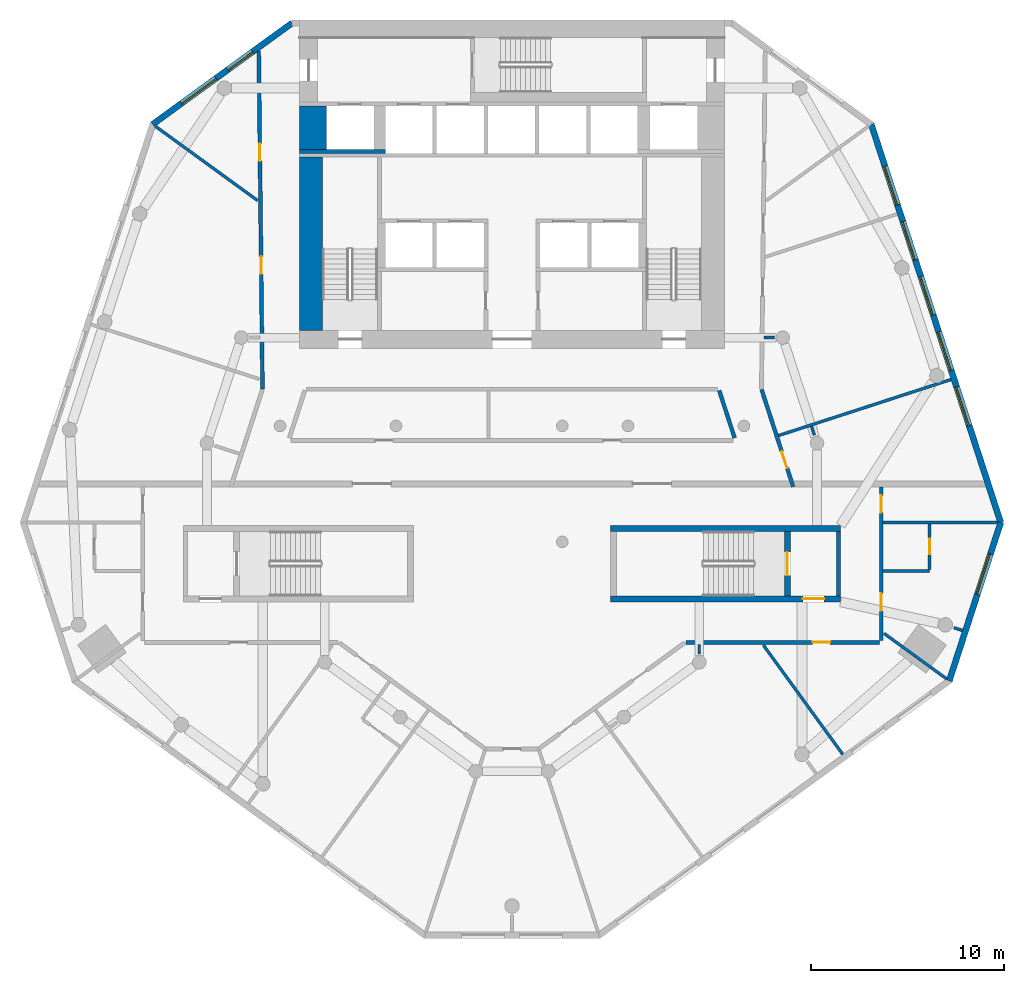
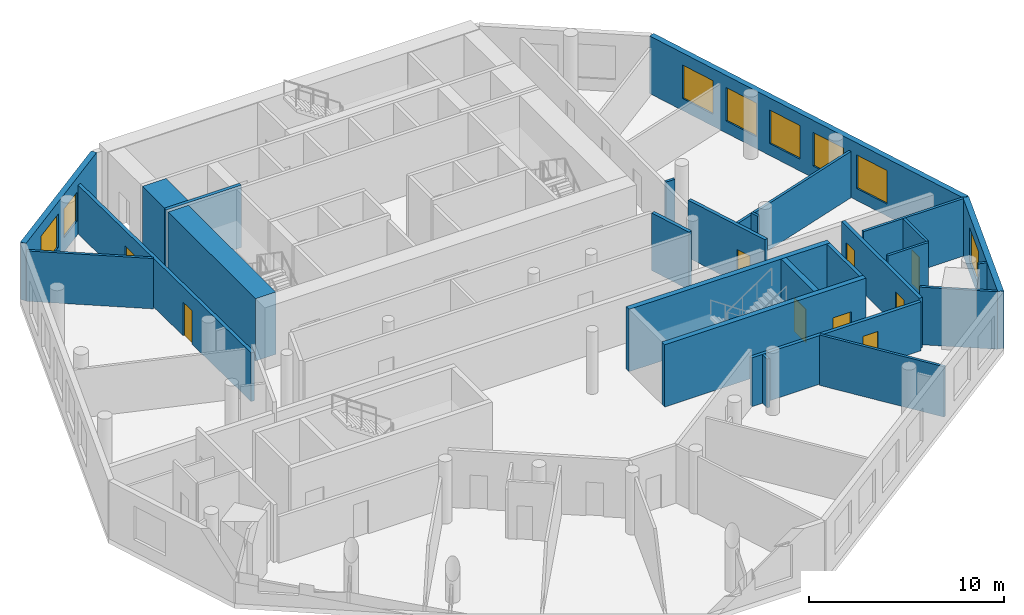
# One storey, part 4 of 8: 26 walls, 9 doors, 8 windows, 17 openings.
"""IFC4 building model written with IfcOpenShell, lengths in metres."""

from ifc_helpers import new_model, si_unit, direction, frame, frame_2d, origin, place, context, subcontext, project, spatial, rectangle, extrude, material, layer, layer_set, type_object, element, fill, save


model = new_model("IFC4")

# Units and contexts
model_context = context("Model", 3, precision=1e-05, world=origin(), true_north=direction((0.0, 1.0)))
body_context = subcontext(model_context, "Body", "Model", "MODEL_VIEW")
ifc_project = project(units=[si_unit("LENGTHUNIT", "METRE"), si_unit("AREAUNIT", "SQUARE_METRE"), si_unit("VOLUMEUNIT", "CUBIC_METRE"), si_unit("PLANEANGLEUNIT", "RADIAN"), si_unit("MASSUNIT", "GRAM", prefix="KILO")], contexts=[model_context])

# Site, building, storey
site_placement = place(None, origin())
site = spatial("IfcSite", under=ifc_project, at=site_placement, CompositionType="ELEMENT")
building_placement = place(site_placement, origin())
building = spatial("IfcBuilding", under=site, at=building_placement, Name="White Candle Pilgrim Tower", CompositionType="ELEMENT")
storey_placement = place(building_placement, frame((0.0, 0.0, 156.39990234375)))
storey = spatial("IfcBuildingStorey", under=building, at=storey_placement, Name="L35", CompositionType="ELEMENT", Elevation=156.39990234375)

# Walls
ifc_material_1 = material(Name="Concrete C60/75", Category="concrete")
ifc_layer_1 = layer(ifc_material_1, 1.39990234375)
ifc_layer_set_1 = layer_set([ifc_layer_1], Name="Core wall 1400 mm Concrete C60/75")
wall_type_1 = type_object("IfcWallType", Name="Core wall 1400 mm Concrete C60/75", PredefinedType="SHEAR", material=ifc_layer_set_1)
wall_1_placement = place(storey_placement, frame((59.699951171875, 81.300048828125, 0.0), z_axis=(0.0, 0.0, 1.0), x_axis=(0.0, 1.0, 0.0)))
element("IfcWall", 1, at=wall_1_placement, inside=storey, type_object=wall_type_1, Name="WL-L35-C37", PredefinedType="SHEAR", context=body_context, shape_type="SweptSolid", body=[
    extrude(rectangle(XDim=2.25, YDim=1.39990234375, at=frame_2d((1.125, 0.0))), origin(), (0.0, 0.0, 1.0), 3.900146484375),
])
ifc_layer_2 = layer(ifc_material_1, 0.199951171875)
ifc_layer_set_2 = layer_set([ifc_layer_2], Name="Core wall 200 mm Concrete C60/75")
wall_type_2 = type_object("IfcWallType", Name="Core wall 200 mm Concrete C60/75", PredefinedType="SHEAR", material=ifc_layer_set_2)
wall_2_placement = place(storey_placement, frame((86.89990234375, 58.199951171875, 0.0), z_axis=(0.0, 0.0, 1.0), x_axis=(0.0, 1.0, 0.0)))
element("IfcWall", 2, at=wall_2_placement, inside=storey, type_object=wall_type_2, Name="WL-L35-C08", PredefinedType="SHEAR", context=body_context, shape_type="SweptSolid", body=[
    extrude(rectangle(XDim=3.35009765625, YDim=0.199951171875, at=frame_2d((1.675048828125, 0.0))), origin(), (0.0, 0.0, 1.0), 3.900146484375),
])
wall_3_placement = place(storey_placement, frame((59.0, 81.199951171875, 0.0), z_axis=(0.0, 0.0, 1.0), x_axis=(1.0, 0.0, 0.0)))
element("IfcWall", 3, at=wall_3_placement, inside=storey, type_object=wall_type_2, Name="WL-L35-C31", PredefinedType="SHEAR", context=body_context, shape_type="SweptSolid", body=[
    extrude(rectangle(XDim=4.449951171875, YDim=0.199951171875, at=frame_2d((2.22509765625, 0.0))), origin(), (0.0, 0.0, 1.0), 3.900146484375),
])

# Wall, openings, doors
ifc_material_2 = material(Name="Gypsum board on steel studs", Category="steel")
ifc_layer_3 = layer(ifc_material_2, 0.199951171875)
ifc_layer_set_3 = layer_set([ifc_layer_3], Name="Corridor wall 200 mm EI 45")
wall_type_3 = type_object("IfcWallType", Name="Corridor wall 200 mm EI 45", PredefinedType="PARTITIONING", material=ifc_layer_set_3)
wall_4_placement = place(storey_placement, frame((57.09326171875, 68.91650390625, 0.0), z_axis=(0.0, 0.0, 1.0), x_axis=(-0.011061239263, 0.999938822622, 0.0)))
wall_4 = element("IfcWall", 4, at=wall_4_placement, inside=storey, type_object=wall_type_3, Name="WL-L35-P003", PredefinedType="PARTITIONING", context=body_context, shape_type="SweptSolid", body=[
    extrude(rectangle(XDim=17.480712890625, YDim=0.199951171875, at=frame_2d((8.740234375, 0.0))), origin(), (0.0, 0.0, 1.0), 3.050048828125),
])
opening_1_placement = place(wall_4_placement, frame((5.951416015625, 0.0, 0.0)))
opening_1 = element("IfcOpeningElement", 5, at=opening_1_placement, cuts=wall_4, Name="Opening T10-118", PredefinedType="OPENING", context=body_context, shape_type="SweptSolid", body=[
    extrude(rectangle(XDim=0.89990234375, YDim=2.10009765625, at=frame_2d((0.449951171875, 1.050048828125))), frame((0.0, 0.10986328125, 0.0), z_axis=(0.0, -1.0, 0.0), x_axis=(1.0, 0.0, 0.0)), (0.0, 0.0, 1.0), 0.219970703125),
])
opening_2_placement = place(wall_4_placement, frame((11.78662109375, 0.0, 0.0)))
opening_2 = element("IfcOpeningElement", 6, at=opening_2_placement, cuts=wall_4, Name="Opening T10-119", PredefinedType="OPENING", context=body_context, shape_type="SweptSolid", body=[
    extrude(rectangle(XDim=0.89990234375, YDim=2.10009765625, at=frame_2d((0.449951171875, 1.050048828125))), frame((0.0, 0.10986328125, 0.0), z_axis=(0.0, -1.0, 0.0), x_axis=(1.0, 0.0, 0.0)), (0.0, 0.0, 1.0), 0.219970703125),
])
ifc_material_3 = material(Name="Steel door leaf", Category="steel")
door_type_1 = type_object("IfcDoorType", Name="Fire door 900 x 2100 EI 30", OperationType="NOTDEFINED", PredefinedType="DOOR", material=ifc_material_3)
door_1_placement = place(opening_1_placement, origin())
door_1 = element("IfcDoor", 7, at=door_1_placement, inside=storey, type_object=door_type_1, Name="Door T10-118", OperationType="SINGLE_SWING_RIGHT", OverallHeight=2.10009765625, OverallWidth=0.89990234375, PredefinedType="DOOR", context=body_context, shape_type="SweptSolid", body=[
    extrude(rectangle(XDim=0.89990234375, YDim=2.10009765625, at=frame_2d((0.449951171875, 1.050048828125))), frame((0.0, 0.02490234375, 0.0), z_axis=(0.0, -1.0, 0.0), x_axis=(1.0, 0.0, 0.0)), (0.0, 0.0, 1.0), 0.050048828125),
])
fill(opening_1, door_1)
door_2_placement = place(opening_2_placement, origin())
door_2 = element("IfcDoor", 8, at=door_2_placement, inside=storey, type_object=door_type_1, Name="Door T10-119", OperationType="SINGLE_SWING_LEFT", OverallHeight=2.10009765625, OverallWidth=0.89990234375, PredefinedType="DOOR", context=body_context, shape_type="SweptSolid", body=[
    extrude(rectangle(XDim=0.89990234375, YDim=2.10009765625, at=frame_2d((0.449951171875, 1.050048828125))), frame((0.0, 0.02490234375, 0.0), z_axis=(0.0, -1.0, 0.0), x_axis=(1.0, 0.0, 0.0)), (0.0, 0.0, 1.0), 0.050048828125),
])
fill(opening_2, door_2)

# Wall, opening, door
wall_5_placement = place(storey_placement, frame((82.91162109375, 68.884521484375, 0.0), z_axis=(0.0, 0.0, 1.0), x_axis=(0.309009941901, -0.951058807754, 0.0)))
wall_5 = element("IfcWall", 9, at=wall_5_placement, inside=storey, type_object=wall_type_3, Name="WL-L35-P005", PredefinedType="PARTITIONING", context=body_context, shape_type="SweptSolid", body=[
    extrude(rectangle(XDim=5.29345703125, YDim=0.199951171875, at=frame_2d((2.646728515625, 0.0))), origin(), (0.0, 0.0, 1.0), 3.60009765625),
])
opening_3_placement = place(wall_5_placement, frame((3.375, 0.0, 0.0)))
opening_3 = element("IfcOpeningElement", 10, at=opening_3_placement, cuts=wall_5, Name="Opening T10-123", PredefinedType="OPENING", context=body_context, shape_type="SweptSolid", body=[
    extrude(rectangle(XDim=0.89990234375, YDim=2.10009765625, at=frame_2d((0.449951171875, 1.050048828125))), frame((0.0, 0.10986328125, 0.0), z_axis=(0.0, -1.0, 0.0), x_axis=(1.0, 0.0, 0.0)), (0.0, 0.0, 1.0), 0.219970703125),
])
door_3_placement = place(opening_3_placement, origin())
door_3 = element("IfcDoor", 11, at=door_3_placement, inside=storey, type_object=door_type_1, Name="Door T10-123", OperationType="SINGLE_SWING_LEFT", OverallHeight=2.10009765625, OverallWidth=0.89990234375, PredefinedType="DOOR", context=body_context, shape_type="SweptSolid", body=[
    extrude(rectangle(XDim=0.89990234375, YDim=2.10009765625, at=frame_2d((0.449951171875, 1.050048828125))), frame((0.0, 0.02490234375, 0.0), z_axis=(0.0, -1.0, 0.0), x_axis=(1.0, 0.0, 0.0)), (0.0, 0.0, 1.0), 0.050048828125),
])
fill(opening_3, door_3)

# Wall, openings, doors
wall_6_placement = place(storey_placement, frame((89.10009765625, 63.85009765625, 0.0), z_axis=(0.0, 0.0, 1.0), x_axis=(0.0, -1.0, 0.0)))
wall_6 = element("IfcWall", 12, at=wall_6_placement, inside=storey, type_object=wall_type_3, Name="WL-L35-P006", PredefinedType="PARTITIONING", context=body_context, shape_type="SweptSolid", body=[
    extrude(rectangle(XDim=7.9501953125, YDim=0.199951171875, at=frame_2d((3.97509765625, 0.0))), origin(), (0.0, 0.0, 1.0), 3.150146484375),
])
opening_4_placement = place(wall_6_placement, frame((5.51220703125, 0.0, 0.0)))
opening_4 = element("IfcOpeningElement", 13, at=opening_4_placement, cuts=wall_6, Name="Opening T10-112", PredefinedType="OPENING", context=body_context, shape_type="SweptSolid", body=[
    extrude(rectangle(XDim=0.89990234375, YDim=2.10009765625, at=frame_2d((0.449951171875, 1.050048828125))), frame((0.0, 0.10986328125, 0.0), z_axis=(0.0, -1.0, 0.0), x_axis=(1.0, 0.0, 0.0)), (0.0, 0.0, 1.0), 0.219970703125),
])
opening_5_placement = place(wall_6_placement, frame((0.436279296875, 0.0, 0.0)))
opening_5 = element("IfcOpeningElement", 14, at=opening_5_placement, cuts=wall_6, Name="Opening T10-124", PredefinedType="OPENING", context=body_context, shape_type="SweptSolid", body=[
    extrude(rectangle(XDim=0.89990234375, YDim=2.10009765625, at=frame_2d((0.449951171875, 1.050048828125))), frame((0.0, 0.10986328125, 0.0), z_axis=(0.0, -1.0, 0.0), x_axis=(1.0, 0.0, 0.0)), (0.0, 0.0, 1.0), 0.219970703125),
])
door_4_placement = place(opening_4_placement, origin())
door_4 = element("IfcDoor", 15, at=door_4_placement, inside=storey, type_object=door_type_1, Name="Door T10-112", OperationType="SINGLE_SWING_RIGHT", OverallHeight=2.10009765625, OverallWidth=0.89990234375, PredefinedType="DOOR", context=body_context, shape_type="SweptSolid", body=[
    extrude(rectangle(XDim=0.89990234375, YDim=2.10009765625, at=frame_2d((0.449951171875, 1.050048828125))), frame((0.0, 0.02490234375, 0.0), z_axis=(0.0, -1.0, 0.0), x_axis=(1.0, 0.0, 0.0)), (0.0, 0.0, 1.0), 0.050048828125),
])
fill(opening_4, door_4)
door_5_placement = place(opening_5_placement, origin())
door_5 = element("IfcDoor", 16, at=door_5_placement, inside=storey, type_object=door_type_1, Name="Door T10-124", OperationType="SINGLE_SWING_RIGHT", OverallHeight=2.10009765625, OverallWidth=0.89990234375, PredefinedType="DOOR", context=body_context, shape_type="SweptSolid", body=[
    extrude(rectangle(XDim=0.89990234375, YDim=2.10009765625, at=frame_2d((0.449951171875, 1.050048828125))), frame((0.0, 0.02490234375, 0.0), z_axis=(0.0, -1.0, 0.0), x_axis=(1.0, 0.0, 0.0)), (0.0, 0.0, 1.0), 0.050048828125),
])
fill(opening_5, door_5)

# Wall, opening, door
wall_7_placement = place(storey_placement, frame((89.0, 55.800048828125, 0.0), z_axis=(0.0, 0.0, 1.0), x_axis=(-1.0, 0.0, 0.0)))
wall_7 = element("IfcWall", 17, at=wall_7_placement, inside=storey, type_object=wall_type_3, Name="WL-L35-P007", PredefinedType="PARTITIONING", context=body_context, shape_type="SweptSolid", body=[
    extrude(rectangle(XDim=10.010986328125, YDim=0.199951171875, at=frame_2d((5.00537109375, 0.0))), origin(), (0.0, 0.0, 1.0), 3.050048828125),
])
opening_6_placement = place(wall_7_placement, frame((2.548583984375, 0.0, 0.0)))
opening_6 = element("IfcOpeningElement", 18, at=opening_6_placement, cuts=wall_7, Name="Opening T10-110", PredefinedType="OPENING", context=body_context, shape_type="SweptSolid", body=[
    extrude(rectangle(XDim=0.89990234375, YDim=2.10009765625, at=frame_2d((0.449951171875, 1.050048828125))), frame((0.0, 0.10986328125, 0.0), z_axis=(0.0, -1.0, 0.0), x_axis=(1.0, 0.0, 0.0)), (0.0, 0.0, 1.0), 0.219970703125),
])
door_6_placement = place(opening_6_placement, origin())
door_6 = element("IfcDoor", 19, at=door_6_placement, inside=storey, type_object=door_type_1, Name="Door T10-110", OperationType="SINGLE_SWING_RIGHT", OverallHeight=2.10009765625, OverallWidth=0.89990234375, PredefinedType="DOOR", context=body_context, shape_type="SweptSolid", body=[
    extrude(rectangle(XDim=0.89990234375, YDim=2.10009765625, at=frame_2d((0.449951171875, 1.050048828125))), frame((0.0, 0.02490234375, 0.0), z_axis=(0.0, -1.0, 0.0), x_axis=(1.0, 0.0, 0.0)), (0.0, 0.0, 1.0), 0.050048828125),
])
fill(opening_6, door_6)

# Wall
wall_8_placement = place(storey_placement, frame((81.516845703125, 66.380859375, 0.0), z_axis=(0.0, 0.0, 1.0), x_axis=(-0.308968203288, 0.951072368097, 0.0)))
element("IfcWall", 20, at=wall_8_placement, inside=storey, type_object=wall_type_3, Name="WL-L35-P014", PredefinedType="PARTITIONING", context=body_context, shape_type="SweptSolid", body=[
    extrude(rectangle(XDim=2.575927734375, YDim=0.199951171875, at=frame_2d((1.2880859375, 0.0))), origin(), (0.0, 0.0, 1.0), 3.60009765625),
])

# Wall, opening, window
ifc_material_4 = material(Name="Precast concrete C40/50", Category="concrete")
ifc_layer_4 = layer(ifc_material_4, 0.320068359375)
ifc_layer_set_4 = layer_set([ifc_layer_4], Name="Facade wall EW1 precast concrete C40/50 pier wall with timber-lined reveals")
wall_type_4 = type_object("IfcWallType", Name="Facade wall EW1 precast concrete C40/50 pier wall with timber-lined reveals", PredefinedType="SOLIDWALL", material=ifc_layer_set_4)
wall_9_placement = place(storey_placement, frame((92.623291015625, 53.81396484375, 0.0), z_axis=(0.0, 0.0, 1.0), x_axis=(0.309030288319, 0.951052196728, 0.0)))
wall_9 = element("IfcWall", 21, at=wall_9_placement, inside=storey, type_object=wall_type_4, Name="Facade wall L35 E chamfer", PredefinedType="SOLIDWALL", context=body_context, shape_type="SweptSolid", body=[
    extrude(rectangle(XDim=8.609619140625, YDim=0.320068359375, at=frame_2d((4.3046875, 0.0))), origin(), (0.0, 0.0, 1.0), 3.60009765625),
])
opening_7_placement = place(wall_9_placement, frame((4.704833984375, 0.0, 0.75)))
opening_7 = element("IfcOpeningElement", 22, at=opening_7_placement, cuts=wall_9, Name="Opening W4", PredefinedType="OPENING", context=body_context, shape_type="SweptSolid", body=[
    extrude(rectangle(XDim=2.199951171875, YDim=2.10009765625, at=frame_2d((1.10009765625, 1.050048828125))), frame((0.0, 0.169921875, 0.0), z_axis=(0.0, -1.0, 0.0), x_axis=(1.0, 0.0, 0.0)), (0.0, 0.0, 1.0), 0.340087890625),
])
ifc_material_5 = material(Name="Timber frame with triple glazing", Category="wood")
window_type_1 = type_object("IfcWindowType", Name="Window W4 2200x2100 timber frame triple glazing", PartitioningType="SINGLE_PANEL", PredefinedType="WINDOW", material=ifc_material_5)
window_1_placement = place(opening_7_placement, origin())
window_1 = element("IfcWindow", 23, at=window_1_placement, inside=storey, type_object=window_type_1, Name="Window W4 L35 E chamfer 2", OverallHeight=2.10009765625, OverallWidth=2.199951171875, PartitioningType="SINGLE_PANEL", PredefinedType="WINDOW", context=body_context, shape_type="SweptSolid", body=[
    extrude(rectangle(XDim=2.199951171875, YDim=2.10009765625, at=frame_2d((1.10009765625, 1.050048828125))), frame((0.0, 0.070068359375, 0.0), z_axis=(0.0, -1.0, 0.0), x_axis=(1.0, 0.0, 0.0)), (0.0, 0.0, 1.0), 0.06005859375),
])
fill(opening_7, window_1)

# Wall, openings, windows
wall_10_placement = place(storey_placement, frame((95.283935546875, 62.002197265625, 0.0), z_axis=(0.0, 0.0, 1.0), x_axis=(-0.309020837221, 0.95105526767, 0.0)))
wall_10 = element("IfcWall", 24, at=wall_10_placement, inside=storey, type_object=wall_type_4, Name="Facade wall L35 ENE", PredefinedType="SOLIDWALL", context=body_context, shape_type="SweptSolid", body=[
    extrude(rectangle(XDim=21.663818359375, YDim=0.320068359375, at=frame_2d((10.83203125, 0.0))), origin(), (0.0, 0.0, 1.0), 3.60009765625),
])
opening_8_placement = place(wall_10_placement, frame((5.281982421875, 0.0, 0.75)))
opening_8 = element("IfcOpeningElement", 25, at=opening_8_placement, cuts=wall_10, Name="Opening W3", PredefinedType="OPENING", context=body_context, shape_type="SweptSolid", body=[
    extrude(rectangle(XDim=2.10009765625, YDim=2.10009765625, at=frame_2d((1.050048828125, 1.050048828125))), frame((0.0, 0.169921875, 0.0), z_axis=(0.0, -1.0, 0.0), x_axis=(1.0, 0.0, 0.0)), (0.0, 0.0, 1.0), 0.340087890625),
])
opening_9_placement = place(wall_10_placement, frame((8.281982421875, 0.0, 0.75)))
opening_9 = element("IfcOpeningElement", 26, at=opening_9_placement, cuts=wall_10, Name="Opening W3", PredefinedType="OPENING", context=body_context, shape_type="SweptSolid", body=[
    extrude(rectangle(XDim=2.10009765625, YDim=2.10009765625, at=frame_2d((1.050048828125, 1.050048828125))), frame((0.0, 0.169921875, 0.0), z_axis=(0.0, -1.0, 0.0), x_axis=(1.0, 0.0, 0.0)), (0.0, 0.0, 1.0), 0.340087890625),
])
opening_10_placement = place(wall_10_placement, frame((11.281982421875, 0.0, 0.75)))
opening_10 = element("IfcOpeningElement", 27, at=opening_10_placement, cuts=wall_10, Name="Opening W3", PredefinedType="OPENING", context=body_context, shape_type="SweptSolid", body=[
    extrude(rectangle(XDim=2.10009765625, YDim=2.10009765625, at=frame_2d((1.050048828125, 1.050048828125))), frame((0.0, 0.169921875, 0.0), z_axis=(0.0, -1.0, 0.0), x_axis=(1.0, 0.0, 0.0)), (0.0, 0.0, 1.0), 0.340087890625),
])
opening_11_placement = place(wall_10_placement, frame((14.281982421875, 0.0, 0.75)))
opening_11 = element("IfcOpeningElement", 28, at=opening_11_placement, cuts=wall_10, Name="Opening W3", PredefinedType="OPENING", context=body_context, shape_type="SweptSolid", body=[
    extrude(rectangle(XDim=2.10009765625, YDim=2.10009765625, at=frame_2d((1.050048828125, 1.050048828125))), frame((0.0, 0.169921875, 0.0), z_axis=(0.0, -1.0, 0.0), x_axis=(1.0, 0.0, 0.0)), (0.0, 0.0, 1.0), 0.340087890625),
])
opening_12_placement = place(wall_10_placement, frame((17.281982421875, 0.0, 0.75)))
opening_12 = element("IfcOpeningElement", 29, at=opening_12_placement, cuts=wall_10, Name="Opening W3", PredefinedType="OPENING", context=body_context, shape_type="SweptSolid", body=[
    extrude(rectangle(XDim=2.10009765625, YDim=2.10009765625, at=frame_2d((1.050048828125, 1.050048828125))), frame((0.0, 0.169921875, 0.0), z_axis=(0.0, -1.0, 0.0), x_axis=(1.0, 0.0, 0.0)), (0.0, 0.0, 1.0), 0.340087890625),
])
window_type_2 = type_object("IfcWindowType", Name="Window W3 2100x2100 timber frame triple glazing", PartitioningType="SINGLE_PANEL", PredefinedType="WINDOW", material=ifc_material_5)
window_2_placement = place(opening_8_placement, origin())
window_2 = element("IfcWindow", 30, at=window_2_placement, inside=storey, type_object=window_type_2, Name="Window W3 L35 ENE 2", OverallHeight=2.10009765625, OverallWidth=2.10009765625, PartitioningType="SINGLE_PANEL", PredefinedType="WINDOW", context=body_context, shape_type="SweptSolid", body=[
    extrude(rectangle(XDim=2.10009765625, YDim=2.10009765625, at=frame_2d((1.050048828125, 1.050048828125))), frame((0.0, 0.070068359375, 0.0), z_axis=(0.0, -1.0, 0.0), x_axis=(1.0, 0.0, 0.0)), (0.0, 0.0, 1.0), 0.06005859375),
])
fill(opening_8, window_2)
window_3_placement = place(opening_9_placement, origin())
window_3 = element("IfcWindow", 31, at=window_3_placement, inside=storey, type_object=window_type_2, Name="Window W3 L35 ENE 3", OverallHeight=2.10009765625, OverallWidth=2.10009765625, PartitioningType="SINGLE_PANEL", PredefinedType="WINDOW", context=body_context, shape_type="SweptSolid", body=[
    extrude(rectangle(XDim=2.10009765625, YDim=2.10009765625, at=frame_2d((1.050048828125, 1.050048828125))), frame((0.0, 0.070068359375, 0.0), z_axis=(0.0, -1.0, 0.0), x_axis=(1.0, 0.0, 0.0)), (0.0, 0.0, 1.0), 0.06005859375),
])
fill(opening_9, window_3)
window_4_placement = place(opening_10_placement, origin())
window_4 = element("IfcWindow", 32, at=window_4_placement, inside=storey, type_object=window_type_2, Name="Window W3 L35 ENE 4", OverallHeight=2.10009765625, OverallWidth=2.10009765625, PartitioningType="SINGLE_PANEL", PredefinedType="WINDOW", context=body_context, shape_type="SweptSolid", body=[
    extrude(rectangle(XDim=2.10009765625, YDim=2.10009765625, at=frame_2d((1.050048828125, 1.050048828125))), frame((0.0, 0.070068359375, 0.0), z_axis=(0.0, -1.0, 0.0), x_axis=(1.0, 0.0, 0.0)), (0.0, 0.0, 1.0), 0.06005859375),
])
fill(opening_10, window_4)
window_5_placement = place(opening_11_placement, origin())
window_5 = element("IfcWindow", 33, at=window_5_placement, inside=storey, type_object=window_type_2, Name="Window W3 L35 ENE 5", OverallHeight=2.10009765625, OverallWidth=2.10009765625, PartitioningType="SINGLE_PANEL", PredefinedType="WINDOW", context=body_context, shape_type="SweptSolid", body=[
    extrude(rectangle(XDim=2.10009765625, YDim=2.10009765625, at=frame_2d((1.050048828125, 1.050048828125))), frame((0.0, 0.070068359375, 0.0), z_axis=(0.0, -1.0, 0.0), x_axis=(1.0, 0.0, 0.0)), (0.0, 0.0, 1.0), 0.06005859375),
])
fill(opening_11, window_5)
window_6_placement = place(opening_12_placement, origin())
window_6 = element("IfcWindow", 34, at=window_6_placement, inside=storey, type_object=window_type_2, Name="Window W3 L35 ENE 6", OverallHeight=2.10009765625, OverallWidth=2.10009765625, PartitioningType="SINGLE_PANEL", PredefinedType="WINDOW", context=body_context, shape_type="SweptSolid", body=[
    extrude(rectangle(XDim=2.10009765625, YDim=2.10009765625, at=frame_2d((1.050048828125, 1.050048828125))), frame((0.0, 0.070068359375, 0.0), z_axis=(0.0, -1.0, 0.0), x_axis=(1.0, 0.0, 0.0)), (0.0, 0.0, 1.0), 0.06005859375),
])
fill(opening_12, window_6)

wall_11_placement = place(storey_placement, frame((58.614990234375, 87.840087890625, 0.0), z_axis=(0.0, 0.0, 1.0), x_axis=(-0.809011042426, -0.58779344436, 0.0)))
wall_11 = element("IfcWall", 35, at=wall_11_placement, inside=storey, type_object=wall_type_4, Name="Facade wall L35 NW chamfer", PredefinedType="SOLIDWALL", context=body_context, shape_type="SweptSolid", body=[
    extrude(rectangle(XDim=8.905029296875, YDim=0.320068359375, at=frame_2d((4.45263671875, 0.0))), origin(), (0.0, 0.0, 1.0), 3.60009765625),
])
opening_13_placement = place(wall_11_placement, frame((2.50244140625, 0.0, 0.89990234375)))
opening_13 = element("IfcOpeningElement", 36, at=opening_13_placement, cuts=wall_11, Name="Opening W2", PredefinedType="OPENING", context=body_context, shape_type="SweptSolid", body=[
    extrude(rectangle(XDim=1.60009765625, YDim=1.800048828125, at=frame_2d((0.800048828125, 0.89990234375))), frame((0.0, 0.169921875, 0.0), z_axis=(0.0, -1.0, 0.0), x_axis=(1.0, 0.0, 0.0)), (0.0, 0.0, 1.0), 0.340087890625),
])
opening_14_placement = place(wall_11_placement, frame((4.8525390625, 0.0, 0.75)))
opening_14 = element("IfcOpeningElement", 37, at=opening_14_placement, cuts=wall_11, Name="Opening W4", PredefinedType="OPENING", context=body_context, shape_type="SweptSolid", body=[
    extrude(rectangle(XDim=2.199951171875, YDim=2.10009765625, at=frame_2d((1.10009765625, 1.050048828125))), frame((0.0, 0.169921875, 0.0), z_axis=(0.0, -1.0, 0.0), x_axis=(1.0, 0.0, 0.0)), (0.0, 0.0, 1.0), 0.340087890625),
])
window_type_3 = type_object("IfcWindowType", Name="Window W2 1600x1800 timber frame triple glazing", PartitioningType="SINGLE_PANEL", PredefinedType="WINDOW", material=ifc_material_5)
window_7_placement = place(opening_13_placement, origin())
window_7 = element("IfcWindow", 38, at=window_7_placement, inside=storey, type_object=window_type_3, Name="Window W2 L35 NW chamfer 1", OverallHeight=1.800048828125, OverallWidth=1.60009765625, PartitioningType="SINGLE_PANEL", PredefinedType="WINDOW", context=body_context, shape_type="SweptSolid", body=[
    extrude(rectangle(XDim=1.60009765625, YDim=1.800048828125, at=frame_2d((0.800048828125, 0.89990234375))), frame((0.0, 0.070068359375, 0.0), z_axis=(0.0, -1.0, 0.0), x_axis=(1.0, 0.0, 0.0)), (0.0, 0.0, 1.0), 0.06005859375),
])
fill(opening_13, window_7)
window_8_placement = place(opening_14_placement, origin())
window_8 = element("IfcWindow", 39, at=window_8_placement, inside=storey, type_object=window_type_1, Name="Window W4 L35 NW chamfer 2", OverallHeight=2.10009765625, OverallWidth=2.199951171875, PartitioningType="SINGLE_PANEL", PredefinedType="WINDOW", context=body_context, shape_type="SweptSolid", body=[
    extrude(rectangle(XDim=2.199951171875, YDim=2.10009765625, at=frame_2d((1.10009765625, 1.050048828125))), frame((0.0, 0.070068359375, 0.0), z_axis=(0.0, -1.0, 0.0), x_axis=(1.0, 0.0, 0.0)), (0.0, 0.0, 1.0), 0.06005859375),
])
fill(opening_14, window_8)

# Walls
ifc_layer_5 = layer(ifc_material_2, 0.14990234375)
ifc_layer_set_5 = layer_set([ifc_layer_5], Name="Partition 150 mm EI 60")
wall_type_5 = type_object("IfcWallType", Name="Partition 150 mm EI 60", PredefinedType="PARTITIONING", material=ifc_layer_set_5)
wall_12_placement = place(storey_placement, frame((51.546875, 82.5068359375, 0.0), z_axis=(0.0, 0.0, 1.0), x_axis=(0.809023171625, -0.587776749944, 0.0)))
element("IfcWall", 40, at=wall_12_placement, inside=storey, type_object=wall_type_5, Name="WL-L35-P017", PredefinedType="PARTITIONING", context=body_context, shape_type="SweptSolid", body=[
    extrude(rectangle(XDim=6.543701171875, YDim=0.14990234375, at=frame_2d((3.27197265625, 0.0))), origin(), (0.0, 0.0, 1.0), 3.150146484375),
])
wall_13_placement = place(storey_placement, frame((92.4873046875, 53.91259765625, 0.0), z_axis=(0.0, 0.0, 1.0), x_axis=(-0.80899935581, 0.587809528928, 0.0)))
element("IfcWall", 41, at=wall_13_placement, inside=storey, type_object=wall_type_5, Name="WL-L35-P022", PredefinedType="PARTITIONING", context=body_context, shape_type="SweptSolid", body=[
    extrude(rectangle(XDim=4.0087890625, YDim=0.14990234375, at=frame_2d((2.00439453125, 0.0))), origin(), (0.0, 0.0, 1.0), 3.60009765625),
])
wall_14_placement = place(storey_placement, frame((95.115478515625, 62.002197265625, 0.0), z_axis=(0.0, 0.0, 1.0), x_axis=(-1.0, 0.0, 0.0)))
element("IfcWall", 42, at=wall_14_placement, inside=storey, type_object=wall_type_5, Name="WL-L35-P023", PredefinedType="PARTITIONING", context=body_context, shape_type="SweptSolid", body=[
    extrude(rectangle(XDim=5.91552734375, YDim=0.14990234375, at=frame_2d((2.957763671875, 0.0))), origin(), (0.0, 0.0, 1.0), 3.60009765625),
])
wall_15_placement = place(storey_placement, frame((87.111572265625, 50.007080078125, 0.0), z_axis=(0.0, 0.0, 1.0), x_axis=(-0.587768293971, 0.809029315045, 0.0)))
element("IfcWall", 43, at=wall_15_placement, inside=storey, type_object=wall_type_5, Name="WL-L35-P033", PredefinedType="PARTITIONING", context=body_context, shape_type="SweptSolid", body=[
    extrude(rectangle(XDim=6.982421875, YDim=0.14990234375, at=frame_2d((3.4912109375, 0.0))), origin(), (0.0, 0.0, 1.0), 3.150146484375),
])
wall_16_placement = place(storey_placement, frame((89.199951171875, 59.502197265625, 0.0), z_axis=(0.0, 0.0, 1.0), x_axis=(1.0, 0.0, 0.0)))
element("IfcWall", 44, at=wall_16_placement, inside=storey, type_object=wall_type_5, Name="WL-L35-P034", PredefinedType="PARTITIONING", context=body_context, shape_type="SweptSolid", body=[
    extrude(rectangle(XDim=2.400146484375, YDim=0.14990234375, at=frame_2d((1.2001953125, 0.0))), origin(), (0.0, 0.0, 1.0), 3.60009765625),
])

# Wall, opening, door
wall_17_placement = place(storey_placement, frame((91.60009765625, 61.92724609375, 0.0), z_axis=(0.0, 0.0, 1.0), x_axis=(0.0, -1.0, 0.0)))
wall_17 = element("IfcWall", 45, at=wall_17_placement, inside=storey, type_object=wall_type_5, Name="WL-L35-P035", PredefinedType="PARTITIONING", context=body_context, shape_type="SweptSolid", body=[
    extrude(rectangle(XDim=2.35009765625, YDim=0.14990234375, at=frame_2d((1.175048828125, 0.0))), origin(), (0.0, 0.0, 1.0), 3.60009765625),
])
opening_15_placement = place(wall_17_placement, frame((0.77490234375, 0.0, 0.0)))
opening_15 = element("IfcOpeningElement", 46, at=opening_15_placement, cuts=wall_17, Name="Opening T10-111", PredefinedType="OPENING", context=body_context, shape_type="SweptSolid", body=[
    extrude(rectangle(XDim=0.800048828125, YDim=2.10009765625, at=frame_2d((0.39990234375, 1.050048828125))), frame((0.0, 0.0849609375, 0.0), z_axis=(0.0, -1.0, 0.0), x_axis=(1.0, 0.0, 0.0)), (0.0, 0.0, 1.0), 0.169921875),
])
door_type_2 = type_object("IfcDoorType", Name="Fire door 800 x 2100 EI 30", OperationType="NOTDEFINED", PredefinedType="DOOR", material=ifc_material_3)
door_7_placement = place(opening_15_placement, origin())
door_7 = element("IfcDoor", 47, at=door_7_placement, inside=storey, type_object=door_type_2, Name="Door T10-111", OperationType="SINGLE_SWING_LEFT", OverallHeight=2.10009765625, OverallWidth=0.800048828125, PredefinedType="DOOR", context=body_context, shape_type="SweptSolid", body=[
    extrude(rectangle(XDim=0.800048828125, YDim=2.10009765625, at=frame_2d((0.39990234375, 1.050048828125))), frame((0.0, 0.02490234375, 0.0), z_axis=(0.0, -1.0, 0.0), x_axis=(1.0, 0.0, 0.0)), (0.0, 0.0, 1.0), 0.050048828125),
])
fill(opening_15, door_7)

# Walls
wall_18_placement = place(storey_placement, frame((92.71142578125, 69.4013671875, 0.0), z_axis=(0.0, 0.0, 1.0), x_axis=(-0.951053194127, -0.30902721877, 0.0)))
element("IfcWall", 48, at=wall_18_placement, inside=storey, type_object=wall_type_5, Name="WL-L35-P036", PredefinedType="PARTITIONING", context=body_context, shape_type="SweptSolid", body=[
    extrude(rectangle(XDim=9.380126953125, YDim=0.14990234375, at=frame_2d((4.68994140625, 0.0))), origin(), (0.0, 0.0, 1.0), 2.900146484375),
])
wall_19_placement = place(storey_placement, frame((92.861083984375, 56.56298828125, 0.0), z_axis=(0.0, 0.0, 1.0), x_axis=(0.951130831717, -0.308788181377, 0.0)))
element("IfcWall", 49, at=wall_19_placement, inside=storey, type_object=wall_type_5, Name="WL-L35-P044", PredefinedType="PARTITIONING", context=body_context, shape_type="SweptSolid", body=[
    extrude(rectangle(XDim=0.46337890625, YDim=0.14990234375, at=frame_2d((0.231689453125, 0.0))), origin(), (0.0, 0.0, 1.0), 3.60009765625),
])
wall_20_placement = place(storey_placement, frame((79.687744140625, 55.2099609375, 0.0), z_axis=(0.0, 0.0, 1.0), x_axis=(0.0, 1.0, 0.0)))
element("IfcWall", 50, at=wall_20_placement, inside=storey, type_object=wall_type_5, Name="WL-L35-P046", PredefinedType="PARTITIONING", context=body_context, shape_type="SweptSolid", body=[
    extrude(rectangle(XDim=0.489990234375, YDim=0.14990234375, at=frame_2d((0.2451171875, 0.0))), origin(), (0.0, 0.0, 1.0), 3.050048828125),
])
wall_21_placement = place(storey_placement, frame((85.64111328125, 66.52734375, 0.0), z_axis=(0.0, 0.0, 1.0), x_axis=(-0.30941254937, 0.950927901732, 0.0)))
element("IfcWall", 51, at=wall_21_placement, inside=storey, type_object=wall_type_5, Name="WL-L35-P047", PredefinedType="PARTITIONING", context=body_context, shape_type="SweptSolid", body=[
    extrude(rectangle(XDim=0.473388671875, YDim=0.14990234375, at=frame_2d((0.23681640625, 0.0))), origin(), (0.0, 0.0, 1.0), 3.050048828125),
])
wall_22_placement = place(storey_placement, frame((83.570068359375, 71.572509765625, 0.0), z_axis=(0.0, 0.0, 1.0), x_axis=(-0.999939791792, 0.010973276179, 0.0)))
element("IfcWall", 52, at=wall_22_placement, inside=storey, type_object=wall_type_5, Name="WL-L35-P048", PredefinedType="PARTITIONING", context=body_context, shape_type="SweptSolid", body=[
    extrude(rectangle(XDim=0.533935546875, YDim=0.14990234375, at=frame_2d((0.26708984375, 0.0))), origin(), (0.0, 0.0, 1.0), 3.050048828125),
])
ifc_layer_6 = layer(ifc_material_1, 1.199951171875)
ifc_layer_set_6 = layer_set([ifc_layer_6], Name="Stair shaft wall 1200 mm Concrete C60/75")
wall_type_6 = type_object("IfcWallType", Name="Stair shaft wall 1200 mm Concrete C60/75", PredefinedType="SHEAR", material=ifc_layer_set_6)
wall_23_placement = place(storey_placement, frame((59.60009765625, 71.949951171875, 0.0), z_axis=(0.0, 0.0, 1.0), x_axis=(0.0, 1.0, 0.0)))
element("IfcWall", 53, at=wall_23_placement, inside=storey, type_object=wall_type_6, Name="WL-L35-C12", PredefinedType="SHEAR", context=body_context, shape_type="SweptSolid", body=[
    extrude(rectangle(XDim=8.949951171875, YDim=1.199951171875, at=frame_2d((4.47509765625, 0.0))), origin(), (0.0, 0.0, 1.0), 3.900146484375),
])

# Wall, opening, door
ifc_layer_7 = layer(ifc_material_1, 0.300048828125)
ifc_layer_set_7 = layer_set([ifc_layer_7], Name="Stair shaft wall 300 mm Concrete C60/75")
wall_type_7 = type_object("IfcWallType", Name="Stair shaft wall 300 mm Concrete C60/75", PredefinedType="SHEAR", material=ifc_layer_set_7)
wall_24_placement = place(storey_placement, frame((75.10009765625, 58.050048828125, 0.0), z_axis=(0.0, 0.0, 1.0), x_axis=(1.0, 0.0, 0.0)))
wall_24 = element("IfcWall", 54, at=wall_24_placement, inside=storey, type_object=wall_type_7, Name="WL-L35-C02", PredefinedType="SHEAR", context=body_context, shape_type="SweptSolid", body=[
    extrude(rectangle(XDim=11.89990234375, YDim=0.300048828125, at=frame_2d((5.949951171875, 0.0))), origin(), (0.0, 0.0, 1.0), 3.900146484375),
])
opening_16_placement = place(wall_24_placement, frame((9.949951171875, 0.0, 0.0)))
opening_16 = element("IfcOpeningElement", 55, at=opening_16_placement, cuts=wall_24, Name="Opening T10-011", PredefinedType="OPENING", context=body_context, shape_type="SweptSolid", body=[
    extrude(rectangle(XDim=1.10009765625, YDim=2.10009765625, at=frame_2d((0.550048828125, 1.050048828125))), frame((0.0, 0.159912109375, 0.0), z_axis=(0.0, -1.0, 0.0), x_axis=(1.0, 0.0, 0.0)), (0.0, 0.0, 1.0), 0.320068359375),
])
door_type_3 = type_object("IfcDoorType", Name="Fire door 1100 x 2100 EI 60", OperationType="NOTDEFINED", PredefinedType="DOOR", material=ifc_material_3)
door_8_placement = place(opening_16_placement, origin())
door_8 = element("IfcDoor", 56, at=door_8_placement, inside=storey, type_object=door_type_3, Name="Door T10-011", OperationType="SINGLE_SWING_LEFT", OverallHeight=2.10009765625, OverallWidth=1.10009765625, PredefinedType="DOOR", context=body_context, shape_type="SweptSolid", body=[
    extrude(rectangle(XDim=1.10009765625, YDim=2.10009765625, at=frame_2d((0.550048828125, 1.050048828125))), frame((0.0, 0.02490234375, 0.0), z_axis=(0.0, -1.0, 0.0), x_axis=(1.0, 0.0, 0.0)), (0.0, 0.0, 1.0), 0.050048828125),
])
fill(opening_16, door_8)

wall_25_placement = place(storey_placement, frame((84.25, 58.199951171875, 0.0), z_axis=(0.0, 0.0, 1.0), x_axis=(0.0, 1.0, 0.0)))
wall_25 = element("IfcWall", 57, at=wall_25_placement, inside=storey, type_object=wall_type_7, Name="WL-L35-C07", PredefinedType="SHEAR", context=body_context, shape_type="SweptSolid", body=[
    extrude(rectangle(XDim=3.35009765625, YDim=0.300048828125, at=frame_2d((1.675048828125, 0.0))), origin(), (0.0, 0.0, 1.0), 3.900146484375),
])
opening_17_placement = place(wall_25_placement, frame((1.074951171875, 0.0, 0.0)))
opening_17 = element("IfcOpeningElement", 58, at=opening_17_placement, cuts=wall_25, Name="Opening T10-012", PredefinedType="OPENING", context=body_context, shape_type="SweptSolid", body=[
    extrude(rectangle(XDim=1.199951171875, YDim=2.10009765625, at=frame_2d((0.60009765625, 1.050048828125))), frame((0.0, 0.159912109375, 0.0), z_axis=(0.0, -1.0, 0.0), x_axis=(1.0, 0.0, 0.0)), (0.0, 0.0, 1.0), 0.320068359375),
])
door_type_4 = type_object("IfcDoorType", Name="Fire door 1200 x 2100 EI 60", OperationType="NOTDEFINED", PredefinedType="DOOR", material=ifc_material_3)
door_9_placement = place(opening_17_placement, origin())
door_9 = element("IfcDoor", 59, at=door_9_placement, inside=storey, type_object=door_type_4, Name="Door T10-012", OperationType="SINGLE_SWING_RIGHT", OverallHeight=2.10009765625, OverallWidth=1.199951171875, PredefinedType="DOOR", context=body_context, shape_type="SweptSolid", body=[
    extrude(rectangle(XDim=1.199951171875, YDim=2.10009765625, at=frame_2d((0.60009765625, 1.050048828125))), frame((0.0, 0.02490234375, 0.0), z_axis=(0.0, -1.0, 0.0), x_axis=(1.0, 0.0, 0.0)), (0.0, 0.0, 1.0), 0.050048828125),
])
fill(opening_17, door_9)

# Wall
wall_26_placement = place(storey_placement, frame((75.10009765625, 61.699951171875, 0.0), z_axis=(0.0, 0.0, 1.0), x_axis=(1.0, 0.0, 0.0)))
element("IfcWall", 60, at=wall_26_placement, inside=storey, type_object=wall_type_7, Name="WL-L35-C10", PredefinedType="SHEAR", context=body_context, shape_type="SweptSolid", body=[
    extrude(rectangle(XDim=11.89990234375, YDim=0.300048828125, at=frame_2d((5.949951171875, 0.0))), origin(), (0.0, 0.0, 1.0), 3.900146484375),
])

save(model, "model.ifc")
